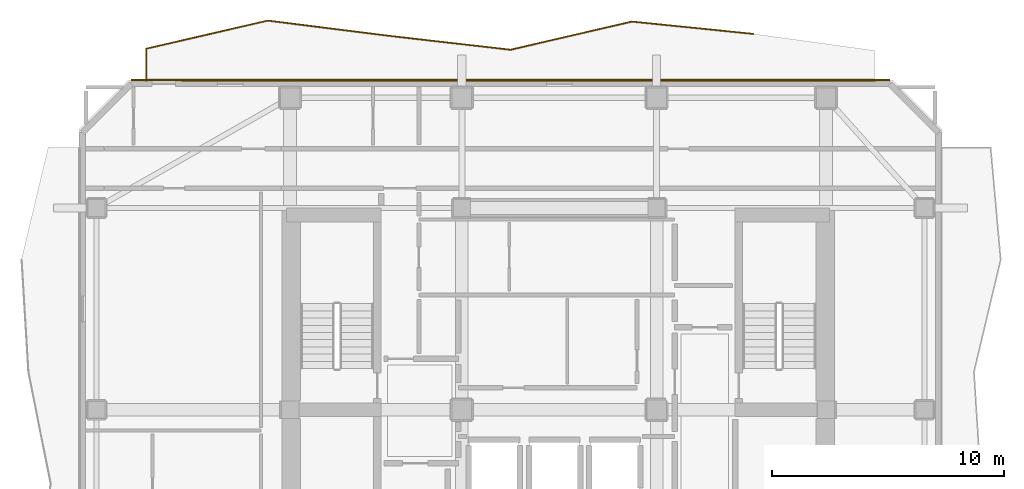
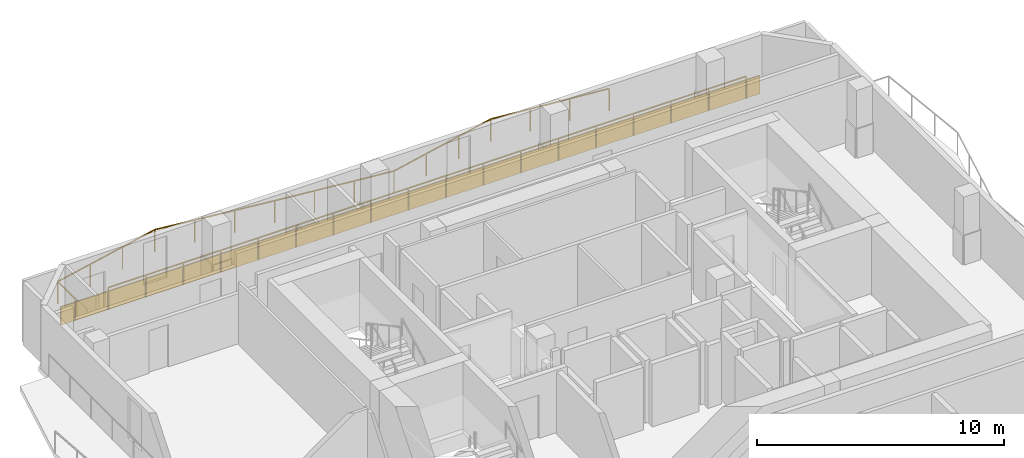
# One storey, part 10 of 10: 2 railings, 1 covering.
"""IFC4 building model written with IfcOpenShell, lengths in metres."""

from ifc_helpers import new_model, si_unit, direction, frame, frame_2d, origin, origin_2d, place, context, subcontext, project, spatial, rectangle, extrude, material, layer, layer_set, type_object, element, save


model = new_model("IFC4")

# Units and contexts
model_context = context("Model", 3, precision=1e-05, world=origin(), true_north=direction((0.0, 1.0)))
body_context = subcontext(model_context, "Body", "Model", "MODEL_VIEW")
ifc_project = project(units=[si_unit("LENGTHUNIT", "METRE"), si_unit("AREAUNIT", "SQUARE_METRE"), si_unit("VOLUMEUNIT", "CUBIC_METRE"), si_unit("PLANEANGLEUNIT", "RADIAN"), si_unit("MASSUNIT", "GRAM", prefix="KILO")], contexts=[model_context])

# Site, building, storey
site_placement = place(None, origin())
site = spatial("IfcSite", under=ifc_project, at=site_placement, CompositionType="ELEMENT")
building_placement = place(site_placement, origin())
building = spatial("IfcBuilding", under=site, at=building_placement, Name="Solanera Arch Residences", CompositionType="ELEMENT")
storey_placement = place(building_placement, frame((0.0, 0.0, 196.800048828125)))
storey = spatial("IfcBuildingStorey", under=building, at=storey_placement, Name="L57", CompositionType="ELEMENT", Elevation=196.800048828125)

# Railings
ifc_material_1 = material(Name="Steel S355 (ASTM A992 / A572 Grade 50)", Category="steel")
railing_type = type_object("IfcRailingType", Name="Balustrade Railing BL-1100", PredefinedType="BALUSTRADE", material=ifc_material_1)
railing_1_placement = place(storey_placement, frame((33.366943359375, 46.905029296875, 0.0)))
element("IfcRailing", 1, at=railing_1_placement, inside=storey, type_object=railing_type, Name="L57 N Balcony Balustrade 1", PredefinedType="BALUSTRADE", context=body_context, shape_type="SweptSolid", body=[
    extrude(rectangle(XDim=0.048095703125, YDim=0.048095703125, at=origin_2d()), frame((0.0, 0.0, 1.09619140625), z_axis=(-0.994911423228, 0.100753461136, 0.0), x_axis=(-0.100753461136, -0.994911423228, 0.0)), (0.0, 0.0, 1.0), 5.2607421875),
    extrude(rectangle(XDim=0.048095703125, YDim=0.048095703125, at=origin_2d()), frame((-5.23388671875, 0.530029296875, 1.09619140625), z_axis=(-0.974127044239, -0.226001109914, 0.0), x_axis=(0.226001109914, -0.974127044239, 0.0)), (0.0, 0.0, 1.0), 5.3720703125),
    extrude(rectangle(XDim=0.048095703125, YDim=0.048095703125, at=origin_2d()), frame((-10.467041015625, -0.68408203125, 1.09619140625), z_axis=(-0.993488674994, 0.113930911782, 0.0), x_axis=(-0.113930911782, -0.993488674994, 0.0)), (0.0, 0.0, 1.0), 5.26708984375),
    extrude(rectangle(XDim=0.048095703125, YDim=0.048095703125, at=origin_2d()), frame((-15.699951171875, -0.083984375, 1.09619140625), z_axis=(-0.992236522133, 0.124365124311, 0.0), x_axis=(-0.124365124311, -0.992236522133, 0.0)), (0.0, 0.0, 1.0), 5.27490234375),
    extrude(rectangle(XDim=0.048095703125, YDim=0.048095703125, at=origin_2d()), frame((-20.933837890625, 0.572021484375, 1.09619140625), z_axis=(-0.97425696558, -0.225440380186, 0.0), x_axis=(0.225440380186, -0.97425696558, 0.0)), (0.0, 0.0, 1.0), 5.371337890625),
    extrude(rectangle(XDim=0.048095703125, YDim=0.048095703125, at=origin_2d()), frame((-26.1669921875, -0.638916015625, 1.09619140625), z_axis=(0.0, -1.0, 0.0), x_axis=(1.0, 0.0, 0.0)), (0.0, 0.0, 1.0), 1.38623046875),
    extrude(rectangle(XDim=0.0419921875, YDim=0.0419921875, at=origin_2d()), origin(), (0.0, 0.0, 1.0), 1.072021484375),
    extrude(rectangle(XDim=0.0419921875, YDim=0.0419921875, at=origin_2d()), frame((-1.74462890625, 0.1767578125, 0.0)), (0.0, 0.0, 1.0), 1.072021484375),
    extrude(rectangle(XDim=0.0419921875, YDim=0.0419921875, at=origin_2d()), frame((-3.4892578125, 0.353271484375, 0.0)), (0.0, 0.0, 1.0), 1.072021484375),
    extrude(rectangle(XDim=0.0419921875, YDim=0.0419921875, at=origin_2d()), frame((-5.23388671875, 0.530029296875, 0.0)), (0.0, 0.0, 1.0), 1.072021484375),
    extrude(rectangle(XDim=0.0419921875, YDim=0.0419921875, at=origin_2d()), frame((-6.978271484375, 0.125244140625, 0.0)), (0.0, 0.0, 1.0), 1.072021484375),
    extrude(rectangle(XDim=0.0419921875, YDim=0.0419921875, at=origin_2d()), frame((-8.72265625, -0.279296875, 0.0)), (0.0, 0.0, 1.0), 1.072021484375),
    extrude(rectangle(XDim=0.0419921875, YDim=0.0419921875, at=origin_2d()), frame((-10.467041015625, -0.68408203125, 0.0)), (0.0, 0.0, 1.0), 1.072021484375),
    extrude(rectangle(XDim=0.0419921875, YDim=0.0419921875, at=origin_2d()), frame((-12.21142578125, -0.484130859375, 0.0)), (0.0, 0.0, 1.0), 1.072021484375),
    extrude(rectangle(XDim=0.0419921875, YDim=0.0419921875, at=origin_2d()), frame((-13.95556640625, -0.283935546875, 0.0)), (0.0, 0.0, 1.0), 1.072021484375),
    extrude(rectangle(XDim=0.0419921875, YDim=0.0419921875, at=origin_2d()), frame((-15.699951171875, -0.083984375, 0.0)), (0.0, 0.0, 1.0), 1.072021484375),
    extrude(rectangle(XDim=0.0419921875, YDim=0.0419921875, at=origin_2d()), frame((-17.444580078125, 0.134765625, 0.0)), (0.0, 0.0, 1.0), 1.072021484375),
    extrude(rectangle(XDim=0.0419921875, YDim=0.0419921875, at=origin_2d()), frame((-19.189208984375, 0.353271484375, 0.0)), (0.0, 0.0, 1.0), 1.072021484375),
    extrude(rectangle(XDim=0.0419921875, YDim=0.0419921875, at=origin_2d()), frame((-20.933837890625, 0.572021484375, 0.0)), (0.0, 0.0, 1.0), 1.072021484375),
    extrude(rectangle(XDim=0.0419921875, YDim=0.0419921875, at=origin_2d()), frame((-22.67822265625, 0.16845703125, 0.0)), (0.0, 0.0, 1.0), 1.072021484375),
    extrude(rectangle(XDim=0.0419921875, YDim=0.0419921875, at=origin_2d()), frame((-24.422607421875, -0.2353515625, 0.0)), (0.0, 0.0, 1.0), 1.072021484375),
    extrude(rectangle(XDim=0.0419921875, YDim=0.0419921875, at=origin_2d()), frame((-26.1669921875, -0.638916015625, 0.0)), (0.0, 0.0, 1.0), 1.072021484375),
    extrude(rectangle(XDim=0.0419921875, YDim=0.0419921875, at=origin_2d()), frame((-26.1669921875, -2.025146484375, 0.0)), (0.0, 0.0, 1.0), 1.072021484375),
])
railing_2_placement = place(storey_placement, frame((8.751953125, 44.8798828125, 0.0)))
element("IfcRailing", 2, at=railing_2_placement, inside=storey, type_object=railing_type, Name="L57 N Balcony Balustrade 2", PredefinedType="BALUSTRADE", context=body_context, shape_type="SweptSolid", body=[
    extrude(rectangle(XDim=0.048095703125, YDim=0.048095703125, at=origin_2d()), frame((0.0, 0.0, 1.09619140625), z_axis=(1.0, 0.0, 0.0), x_axis=(0.0, 1.0, 0.0)), (0.0, 0.0, 1.0), 29.84814453125),
    extrude(rectangle(XDim=0.0419921875, YDim=0.0419921875, at=origin_2d()), origin(), (0.0, 0.0, 1.0), 1.072021484375),
    extrude(rectangle(XDim=0.0419921875, YDim=0.0419921875, at=origin_2d()), frame((1.755859375, 0.0, 0.0)), (0.0, 0.0, 1.0), 1.072021484375),
    extrude(rectangle(XDim=0.0419921875, YDim=0.0419921875, at=origin_2d()), frame((3.511474609375, 0.0, 0.0)), (0.0, 0.0, 1.0), 1.072021484375),
    extrude(rectangle(XDim=0.0419921875, YDim=0.0419921875, at=origin_2d()), frame((5.267333984375, 0.0, 0.0)), (0.0, 0.0, 1.0), 1.072021484375),
    extrude(rectangle(XDim=0.0419921875, YDim=0.0419921875, at=origin_2d()), frame((7.023193359375, 0.0, 0.0)), (0.0, 0.0, 1.0), 1.072021484375),
    extrude(rectangle(XDim=0.0419921875, YDim=0.0419921875, at=origin_2d()), frame((8.77880859375, 0.0, 0.0)), (0.0, 0.0, 1.0), 1.072021484375),
    extrude(rectangle(XDim=0.0419921875, YDim=0.0419921875, at=origin_2d()), frame((10.53466796875, 0.0, 0.0)), (0.0, 0.0, 1.0), 1.072021484375),
    extrude(rectangle(XDim=0.0419921875, YDim=0.0419921875, at=origin_2d()), frame((12.29052734375, 0.0, 0.0)), (0.0, 0.0, 1.0), 1.072021484375),
    extrude(rectangle(XDim=0.0419921875, YDim=0.0419921875, at=origin_2d()), frame((14.046142578125, 0.0, 0.0)), (0.0, 0.0, 1.0), 1.072021484375),
    extrude(rectangle(XDim=0.0419921875, YDim=0.0419921875, at=origin_2d()), frame((15.802001953125, 0.0, 0.0)), (0.0, 0.0, 1.0), 1.072021484375),
    extrude(rectangle(XDim=0.0419921875, YDim=0.0419921875, at=origin_2d()), frame((17.5576171875, 0.0, 0.0)), (0.0, 0.0, 1.0), 1.072021484375),
    extrude(rectangle(XDim=0.0419921875, YDim=0.0419921875, at=origin_2d()), frame((19.3134765625, 0.0, 0.0)), (0.0, 0.0, 1.0), 1.072021484375),
    extrude(rectangle(XDim=0.0419921875, YDim=0.0419921875, at=origin_2d()), frame((21.0693359375, 0.0, 0.0)), (0.0, 0.0, 1.0), 1.072021484375),
    extrude(rectangle(XDim=0.0419921875, YDim=0.0419921875, at=origin_2d()), frame((22.824951171875, 0.0, 0.0)), (0.0, 0.0, 1.0), 1.072021484375),
    extrude(rectangle(XDim=0.0419921875, YDim=0.0419921875, at=origin_2d()), frame((24.580810546875, 0.0, 0.0)), (0.0, 0.0, 1.0), 1.072021484375),
    extrude(rectangle(XDim=0.0419921875, YDim=0.0419921875, at=origin_2d()), frame((26.336669921875, 0.0, 0.0)), (0.0, 0.0, 1.0), 1.072021484375),
    extrude(rectangle(XDim=0.0419921875, YDim=0.0419921875, at=origin_2d()), frame((28.09228515625, 0.0, 0.0)), (0.0, 0.0, 1.0), 1.072021484375),
    extrude(rectangle(XDim=0.0419921875, YDim=0.0419921875, at=origin_2d()), frame((29.84814453125, 0.0, 0.0)), (0.0, 0.0, 1.0), 1.072021484375),
])

# Covering
ifc_material_2 = material(Name="Philippine Adobe Travertine Cladding", Category="masonry")
ifc_layer = layer(ifc_material_2, 0.06005859375)
ifc_layer_set = layer_set([ifc_layer], Name="Philippine Adobe Travertine Cladding")
covering_type = type_object("IfcCoveringType", Name="Precast Pier Stone Cladding CLD-60", PredefinedType="CLADDING", material=ifc_layer_set)
covering_placement = place(storey_placement, frame((6.544921875, 44.9150390625, 0.0), z_axis=(0.0, 0.0, 1.0), x_axis=(1.0, 0.0, 0.0)))
element("IfcCovering", 3, at=covering_placement, inside=storey, type_object=covering_type, Name="L57 N Precast Spandrel Stone Band", PredefinedType="CLADDING", context=body_context, shape_type="SweptSolid", body=[
    extrude(rectangle(XDim=32.7099609375, YDim=0.06005859375, at=frame_2d((16.35498046875, 0.0))), origin(), (0.0, 0.0, 1.0), 0.89990234375),
])

save(model, "model.ifc")
